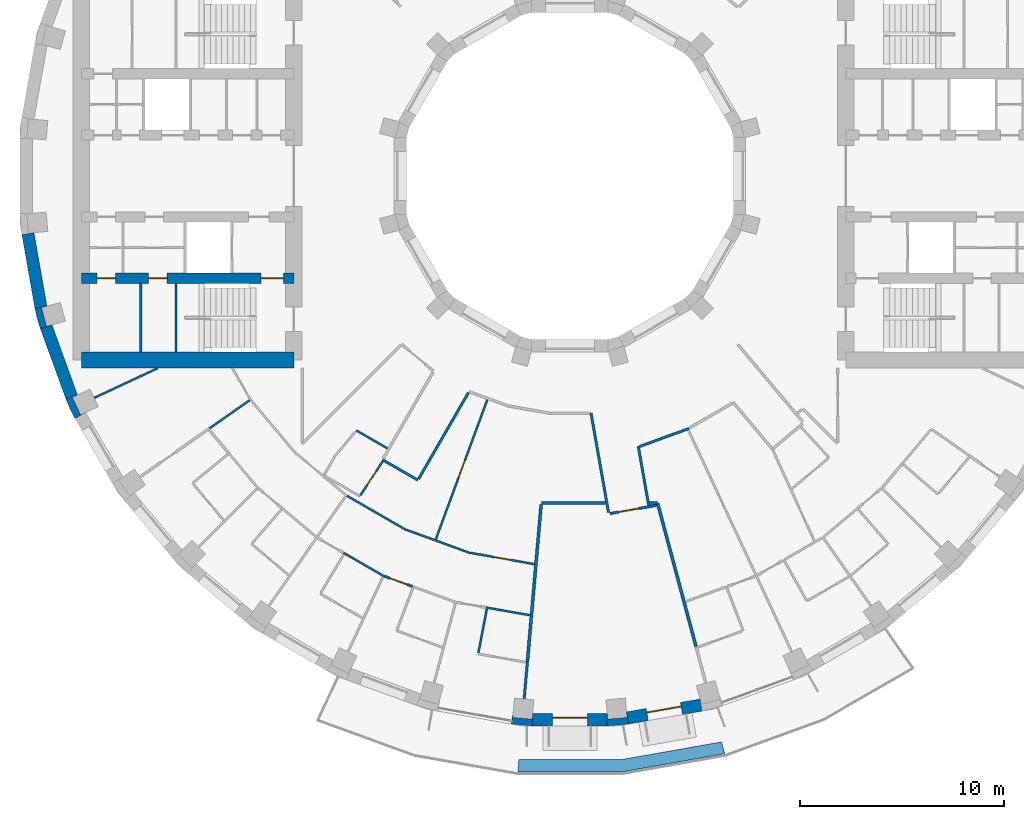
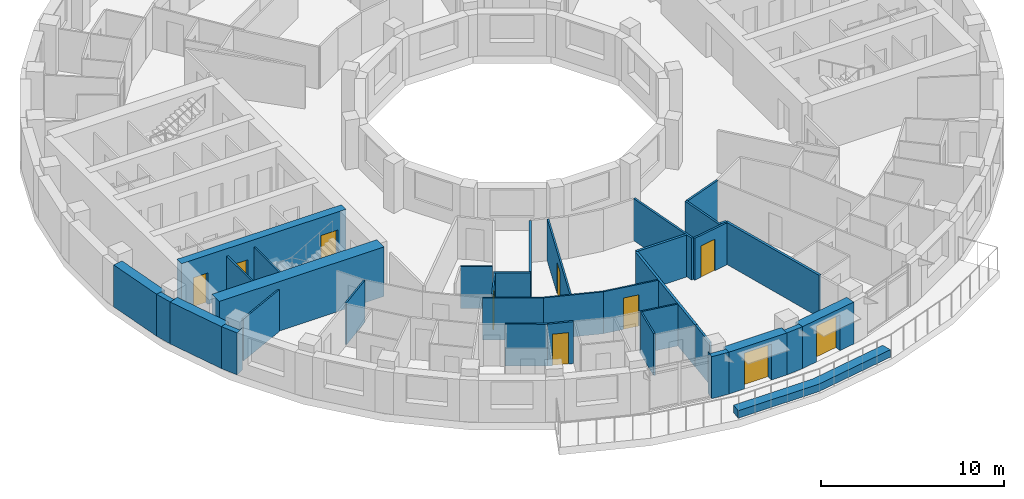
# One storey, part 6 of 16: 36 walls, 10 doors, 10 openings.
"""IFC4 building model written with IfcOpenShell, lengths in metres."""

from ifc_helpers import new_model, si_unit, direction, frame, frame_2d, origin, place, context, subcontext, project, spatial, polyline, rectangle, outline, extrude, material, layer, layer_set, type_object, element, fill, save


model = new_model("IFC4")

# Units and contexts
model_context = context("Model", 3, precision=1e-05, world=origin(), true_north=direction((0.0, 1.0)))
body_context = subcontext(model_context, "Body", "Model", "MODEL_VIEW")
ifc_project = project(units=[si_unit("LENGTHUNIT", "METRE"), si_unit("AREAUNIT", "SQUARE_METRE"), si_unit("VOLUMEUNIT", "CUBIC_METRE"), si_unit("PLANEANGLEUNIT", "RADIAN"), si_unit("MASSUNIT", "GRAM", prefix="KILO")], contexts=[model_context])

# Site, building, storey
site_placement = place(None, origin())
site = spatial("IfcSite", under=ifc_project, at=site_placement, CompositionType="ELEMENT")
building_placement = place(site_placement, origin())
building = spatial("IfcBuilding", under=site, at=building_placement, Name="Saqina Gate Tower", CompositionType="ELEMENT")
storey_placement = place(building_placement, frame((0.0, 0.0, 141.39990234375)))
storey = spatial("IfcBuildingStorey", under=building, at=storey_placement, Name="L40", CompositionType="ELEMENT", Elevation=141.39990234375)

# Walls
ifc_material_1 = material(Name="Brick masonry (buff)", Category="masonry")
wall_type_1 = type_object("IfcWallType", Name="BRICK PIER COPING BUFF", PredefinedType="SOLIDWALL", material=ifc_material_1)
wall_1_placement = place(storey_placement, origin())
element("IfcWall", 1, at=wall_1_placement, inside=storey, type_object=wall_type_1, Name="Pier cap L40 column 20", PredefinedType="SOLIDWALL", context=body_context, shape_type="SweptSolid", body=[
    extrude(outline(polyline([(-26.171875, -6.466796875), (-25.89892578125, -7.485595703125), (-25.335205078125, -7.2802734375), (-25.5947265625, -7.349853515625), (-25.8408203125, -6.43212890625), (-25.5810546875, -6.36279296875), (-26.171875, -6.466796875)])), origin(), (0.0, 0.0, 1.0), 2.800048828125),
])
wall_2_placement = place(storey_placement, origin())
element("IfcWall", 2, at=wall_2_placement, inside=storey, type_object=wall_type_1, Name="Pier cap L40 column 21", PredefinedType="SOLIDWALL", context=body_context, shape_type="SweptSolid", body=[
    extrude(outline(polyline([(-24.6513671875, -10.913330078125), (-24.205810546875, -11.869140625), (-23.68603515625, -11.569091796875), (-23.9296875, -11.6826171875), (-24.331298828125, -10.82177734375), (-24.08740234375, -10.7080078125), (-24.6513671875, -10.913330078125)])), origin(), (0.0, 0.0, 1.0), 2.800048828125),
])
wall_3_placement = place(storey_placement, origin())
element("IfcWall", 3, at=wall_3_placement, inside=storey, type_object=wall_type_1, Name="Pier cap L40 column 27", PredefinedType="SOLIDWALL", context=body_context, shape_type="SweptSolid", body=[
    extrude(outline(polyline([(-2.87451171875, -26.805419921875), (-1.823974609375, -26.897216796875), (-1.823974609375, -26.29736328125), (-1.847412109375, -26.565185546875), (-2.793701171875, -26.482421875), (-2.770263671875, -26.214599609375), (-2.87451171875, -26.805419921875)])), origin(), (0.0, 0.0, 1.0), 2.800048828125),
])
wall_4_placement = place(storey_placement, origin())
element("IfcWall", 4, at=wall_4_placement, inside=storey, type_object=wall_type_1, Name="Pier cap L40 column 28", PredefinedType="SOLIDWALL", context=body_context, shape_type="SweptSolid", body=[
    extrude(outline(polyline([(2.87451171875, -26.805419921875), (2.770263671875, -26.214599609375), (2.793701171875, -26.482421875), (1.847412109375, -26.565185546875), (1.823974609375, -26.29736328125), (1.823974609375, -26.897216796875), (2.87451171875, -26.805419921875)])), origin(), (0.0, 0.0, 1.0), 2.800048828125),
])
ifc_material_2 = material(Name="Gypsum board on steel studs", Category="steel")
ifc_layer_1 = layer(ifc_material_2, 0.10009765625)
ifc_layer_set_1 = layer_set([ifc_layer_1], Name="CORE PARTITION")
wall_type_2 = type_object("IfcWallType", Name="CORE PARTITION", PredefinedType="PARTITIONING", material=ifc_layer_set_1)
wall_5_placement = place(storey_placement, frame((-20.991943359375, -8.60009765625, 0.0), z_axis=(0.0, 0.0, 1.0), x_axis=(0.0, 1.0, 0.0)))
element("IfcWall", 5, at=wall_5_placement, inside=storey, type_object=wall_type_2, Name="L40-CP-W16", PredefinedType="PARTITIONING", context=body_context, shape_type="SweptSolid", body=[
    extrude(rectangle(XDim=3.35009765625, YDim=0.10009765625, at=frame_2d((1.675048828125, 0.0))), origin(), (0.0, 0.0, 1.0), 2.800048828125),
])

# Wall, opening, door
ifc_material_3 = material(Name="Brick masonry (buff)", Category="masonry")
ifc_layer_2 = layer(ifc_material_3, 0.60009765625)
ifc_layer_set_2 = layer_set([ifc_layer_2], Name="FW-BRICK-BUFF")
wall_type_3 = type_object("IfcWallType", Name="FW-BRICK-BUFF", PredefinedType="SOLIDWALL", material=ifc_layer_set_2)
wall_6_placement = place(storey_placement, frame((-1.823974609375, -26.59716796875, 0.0), z_axis=(0.0, 0.0, 1.0), x_axis=(1.0, 0.0, 0.0)))
wall_6 = element("IfcWall", 6, at=wall_6_placement, inside=storey, type_object=wall_type_3, Name="Facade wall L40 facet 27", PredefinedType="SOLIDWALL", context=body_context, shape_type="SweptSolid", body=[
    extrude(rectangle(XDim=3.64794921875, YDim=0.60009765625, at=frame_2d((1.823974609375, 0.0))), origin(), (0.0, 0.0, 1.0), 2.800048828125),
])
opening_1_placement = place(wall_6_placement, frame((0.973876953125, 0.0, 0.0)))
opening_1 = element("IfcOpeningElement", 7, at=opening_1_placement, cuts=wall_6, Name="Opening G12-D80", PredefinedType="OPENING", context=body_context, shape_type="SweptSolid", body=[
    extrude(rectangle(XDim=1.699951171875, YDim=2.39990234375, at=frame_2d((0.85009765625, 1.199951171875))), frame((0.0, 0.31201171875, 0.0), z_axis=(0.0, -1.0, 0.0), x_axis=(1.0, 0.0, 0.0)), (0.0, 0.0, 1.0), 0.6240234375),
])
ifc_material_4 = material(Name="Aluminium glazing", Category="aluminium")
door_type_1 = type_object("IfcDoorType", Name="GD-B", OperationType="DOUBLE_DOOR_SINGLE_SWING", PredefinedType="DOOR", material=ifc_material_4)
door_1_placement = place(opening_1_placement, origin())
door_1 = element("IfcDoor", 8, at=door_1_placement, inside=storey, type_object=door_type_1, Name="Terrace door L40 facet 27", OperationType="DOUBLE_DOOR_SINGLE_SWING", OverallHeight=2.39990234375, OverallWidth=1.699951171875, PredefinedType="DOOR", context=body_context, shape_type="SweptSolid", body=[
    extrude(rectangle(XDim=1.699951171875, YDim=2.39990234375, at=frame_2d((0.85009765625, 1.199951171875))), frame((0.0, 0.125, 0.0), z_axis=(0.0, -1.0, 0.0), x_axis=(1.0, 0.0, 0.0)), (0.0, 0.0, 1.0), 0.050048828125),
])
fill(opening_1, door_1)

wall_7_placement = place(storey_placement, frame((2.822265625, -26.510009765625, 0.0), z_axis=(0.0, 0.0, 1.0), x_axis=(0.984803764455, 0.173670796382, 0.0)))
wall_7 = element("IfcWall", 9, at=wall_7_placement, inside=storey, type_object=wall_type_3, Name="Facade wall L40 facet 28", PredefinedType="SOLIDWALL", context=body_context, shape_type="SweptSolid", body=[
    extrude(rectangle(XDim=3.64794921875, YDim=0.60009765625, at=frame_2d((1.823974609375, 0.0))), origin(), (0.0, 0.0, 1.0), 2.800048828125),
])
opening_2_placement = place(wall_7_placement, frame((0.973876953125, 0.0, 0.0)))
opening_2 = element("IfcOpeningElement", 10, at=opening_2_placement, cuts=wall_7, Name="Opening G12-D81", PredefinedType="OPENING", context=body_context, shape_type="SweptSolid", body=[
    extrude(rectangle(XDim=1.699951171875, YDim=2.39990234375, at=frame_2d((0.85009765625, 1.199951171875))), frame((0.0, 0.31201171875, 0.0), z_axis=(0.0, -1.0, 0.0), x_axis=(1.0, 0.0, 0.0)), (0.0, 0.0, 1.0), 0.6240234375),
])
door_2_placement = place(opening_2_placement, origin())
door_2 = element("IfcDoor", 11, at=door_2_placement, inside=storey, type_object=door_type_1, Name="Terrace door L40 facet 28", OperationType="DOUBLE_DOOR_SINGLE_SWING", OverallHeight=2.39990234375, OverallWidth=1.699951171875, PredefinedType="DOOR", context=body_context, shape_type="SweptSolid", body=[
    extrude(rectangle(XDim=1.699951171875, YDim=2.39990234375, at=frame_2d((0.85009765625, 1.199951171875))), frame((0.0, 0.125, 0.0), z_axis=(0.0, -1.0, 0.0), x_axis=(1.0, 0.0, 0.0)), (0.0, 0.0, 1.0), 0.050048828125),
])
fill(opening_2, door_2)

# Walls
ifc_material_5 = material(Name="Glazed ceramic tile", Category="ceramic")
ifc_layer_3 = layer(ifc_material_5, 0.60009765625)
ifc_layer_set_3 = layer_set([ifc_layer_3], Name="FW-TILE")
wall_type_4 = type_object("IfcWallType", Name="FW-TILE", PredefinedType="SOLIDWALL", material=ifc_layer_set_3)
wall_8_placement = place(storey_placement, frame((-26.510009765625, -2.822265625, 0.0), z_axis=(0.0, 0.0, 1.0), x_axis=(0.173670796382, -0.984803764455, 0.0)))
element("IfcWall", 12, at=wall_8_placement, inside=storey, type_object=wall_type_4, Name="Facade wall L40 facet 19", PredefinedType="SOLIDWALL", context=body_context, shape_type="SweptSolid", body=[
    extrude(rectangle(XDim=3.64794921875, YDim=0.60009765625, at=frame_2d((1.823974609375, 0.0))), origin(), (0.0, 0.0, 1.0), 2.800048828125),
])
ifc_material_6 = material(Name="Glazed ceramic tile (white)", Category="ceramic")
ifc_layer_4 = layer(ifc_material_6, 0.60009765625)
ifc_layer_set_4 = layer_set([ifc_layer_4], Name="FW-TILE-WH")
wall_type_5 = type_object("IfcWallType", Name="FW-TILE-WH", PredefinedType="SOLIDWALL", material=ifc_layer_set_4)
wall_9_placement = place(storey_placement, frame((-25.616943359375, -7.3828125, 0.0), z_axis=(0.0, 0.0, 1.0), x_axis=(0.341990236633, -0.939703505393, 0.0)))
element("IfcWall", 13, at=wall_9_placement, inside=storey, type_object=wall_type_5, Name="Facade wall L40 facet 20", PredefinedType="SOLIDWALL", context=body_context, shape_type="SweptSolid", body=[
    extrude(rectangle(XDim=3.64794921875, YDim=0.60009765625, at=frame_2d((1.823974609375, 0.0))), origin(), (0.0, 0.0, 1.0), 2.800048828125),
])
ifc_material_7 = material(Name="Gypsum board on steel studs, 100 mm", Category="steel")
ifc_layer_5 = layer(ifc_material_7, 0.10009765625)
ifc_layer_set_5 = layer_set([ifc_layer_5], Name="PARTITION 100")
wall_type_6 = type_object("IfcWallType", Name="PARTITION 100", PredefinedType="PARTITIONING", material=ifc_layer_set_5)
wall_10_placement = place(storey_placement, frame((-11.072021484375, -18.4296875, 0.0), z_axis=(0.0, 0.0, 1.0), x_axis=(0.865486689549, -0.500931921735, 0.0)))
element("IfcWall", 14, at=wall_10_placement, inside=storey, type_object=wall_type_6, Name="PARTITION PW3-36", PredefinedType="PARTITIONING", context=body_context, shape_type="SweptSolid", body=[
    extrude(rectangle(XDim=2.3056640625, YDim=0.10009765625, at=frame_2d((1.15283203125, 0.0))), origin(), (0.0, 0.0, 1.0), 2.800048828125),
])
wall_11_placement = place(storey_placement, frame((-10.895751953125, -15.64697265625, 0.0), z_axis=(0.0, 0.0, 1.0), x_axis=(0.866052313871, -0.499953387465, 0.0)))
element("IfcWall", 15, at=wall_11_placement, inside=storey, type_object=wall_type_6, Name="PARTITION PW3-38", PredefinedType="PARTITIONING", context=body_context, shape_type="SweptSolid", body=[
    extrude(rectangle(XDim=3.324951171875, YDim=0.10009765625, at=frame_2d((1.66259765625, 0.0))), origin(), (0.0, 0.0, 1.0), 2.800048828125),
])
wall_12_placement = place(storey_placement, frame((-10.443115234375, -12.446044921875, 0.0), z_axis=(0.0, 0.0, 1.0), x_axis=(0.866176339187, -0.499738481041, 0.0)))
element("IfcWall", 16, at=wall_12_placement, inside=storey, type_object=wall_type_6, Name="PARTITION PW3-40", PredefinedType="PARTITIONING", context=body_context, shape_type="SweptSolid", body=[
    extrude(rectangle(XDim=1.75830078125, YDim=0.10009765625, at=frame_2d((0.879150390625, 0.0))), origin(), (0.0, 0.0, 1.0), 2.800048828125),
])
wall_13_placement = place(storey_placement, frame((-8.012939453125, -17.301025390625, 0.0), z_axis=(0.0, 0.0, 1.0), x_axis=(0.939703357515, -0.341990642965, 0.0)))
element("IfcWall", 17, at=wall_13_placement, inside=storey, type_object=wall_type_6, Name="PARTITION PW3-49", PredefinedType="PARTITIONING", context=body_context, shape_type="SweptSolid", body=[
    extrude(rectangle(XDim=3.3251953125, YDim=0.10009765625, at=frame_2d((1.66259765625, 0.0))), origin(), (0.0, 0.0, 1.0), 2.800048828125),
])
wall_14_placement = place(storey_placement, frame((-4.101318359375, -21.105224609375, 0.0), z_axis=(0.0, 0.0, 1.0), x_axis=(0.984793705714, -0.173727825019, 0.0)))
element("IfcWall", 18, at=wall_14_placement, inside=storey, type_object=wall_type_6, Name="PARTITION PW3-54", PredefinedType="PARTITIONING", context=body_context, shape_type="SweptSolid", body=[
    extrude(rectangle(XDim=2.1796875, YDim=0.10009765625, at=frame_2d((1.08984375, 0.0))), origin(), (0.0, 0.0, 1.0), 2.800048828125),
])

# Wall, opening, door
wall_15_placement = place(storey_placement, frame((-4.88671875, -18.4296875, 0.0), z_axis=(0.0, 0.0, 1.0), x_axis=(0.984827318257, -0.173537181071, 0.0)))
wall_15 = element("IfcWall", 19, at=wall_15_placement, inside=storey, type_object=wall_type_6, Name="PARTITION PW3-55", PredefinedType="PARTITIONING", context=body_context, shape_type="SweptSolid", body=[
    extrude(rectangle(XDim=3.19921875, YDim=0.10009765625, at=frame_2d((1.599609375, 0.0))), origin(), (0.0, 0.0, 1.0), 2.800048828125),
])
opening_3_placement = place(wall_15_placement, frame((1.162109375, 0.0, 0.0)))
opening_3 = element("IfcOpeningElement", 20, at=opening_3_placement, cuts=wall_15, Name="Opening G12-D46", PredefinedType="OPENING", context=body_context, shape_type="SweptSolid", body=[
    extrude(rectangle(XDim=0.89990234375, YDim=2.10009765625, at=frame_2d((0.449951171875, 1.050048828125))), frame((0.0, 0.06201171875, 0.0), z_axis=(0.0, -1.0, 0.0), x_axis=(1.0, 0.0, 0.0)), (0.0, 0.0, 1.0), 0.1240234375),
])
ifc_material_8 = material(Name="Timber door leaf, 900 mm", Category="wood")
door_type_2 = type_object("IfcDoorType", Name="DOOR 900 TIMBER", OperationType="SINGLE_SWING_LEFT", PredefinedType="DOOR", material=ifc_material_8)
door_3_placement = place(opening_3_placement, origin())
door_3 = element("IfcDoor", 21, at=door_3_placement, inside=storey, type_object=door_type_2, Name="DOOR G12-D46", OperationType="SINGLE_SWING_RIGHT", OverallHeight=2.10009765625, OverallWidth=0.89990234375, PredefinedType="DOOR", context=body_context, shape_type="SweptSolid", body=[
    extrude(rectangle(XDim=0.89990234375, YDim=2.10009765625, at=frame_2d((0.449951171875, 1.050048828125))), frame((0.0, 0.02490234375, 0.0), z_axis=(0.0, -1.0, 0.0), x_axis=(1.0, 0.0, 0.0)), (0.0, 0.0, 1.0), 0.050048828125),
])
fill(opening_3, door_3)

# Walls
wall_16_placement = place(storey_placement, frame((-23.260009765625, -10.847412109375, 0.0), z_axis=(0.0, 0.0, 1.0), x_axis=(0.906042683175, 0.423186313892, 0.0)))
element("IfcWall", 22, at=wall_16_placement, inside=storey, type_object=wall_type_6, Name="PARTITION PW3-72", PredefinedType="PARTITIONING", context=body_context, shape_type="SweptSolid", body=[
    extrude(rectangle(XDim=3.42041015625, YDim=0.10009765625, at=frame_2d((1.710205078125, 0.0))), origin(), (0.0, 0.0, 1.0), 2.800048828125),
])
wall_17_placement = place(storey_placement, frame((-17.62548828125, -12.341552734375, 0.0), z_axis=(0.0, 0.0, 1.0), x_axis=(0.819246283273, 0.573441825597, 0.0)))
element("IfcWall", 23, at=wall_17_placement, inside=storey, type_object=wall_type_6, Name="PARTITION PW3-77", PredefinedType="PARTITIONING", context=body_context, shape_type="SweptSolid", body=[
    extrude(rectangle(XDim=2.395751953125, YDim=0.10009765625, at=frame_2d((1.19775390625, 0.0))), origin(), (0.0, 0.0, 1.0), 2.800048828125),
])

# Wall, opening, door
wall_18_placement = place(storey_placement, frame((-10.24560546875, -15.6162109375, 0.0), z_axis=(0.0, 0.0, 1.0), x_axis=(0.548583914552, 0.836095502138, 0.0)))
wall_18 = element("IfcWall", 24, at=wall_18_placement, inside=storey, type_object=wall_type_6, Name="PARTITION PW3-99", PredefinedType="PARTITIONING", context=body_context, shape_type="SweptSolid", body=[
    extrude(rectangle(XDim=1.9853515625, YDim=0.10009765625, at=frame_2d((0.99267578125, 0.0))), origin(), (0.0, 0.0, 1.0), 2.800048828125),
])
opening_4_placement = place(wall_18_placement, frame((0.5986328125, 0.0, 0.0)))
opening_4 = element("IfcOpeningElement", 25, at=opening_4_placement, cuts=wall_18, Name="Opening G12-D39", PredefinedType="OPENING", context=body_context, shape_type="SweptSolid", body=[
    extrude(rectangle(XDim=0.800048828125, YDim=2.10009765625, at=frame_2d((0.39990234375, 1.050048828125))), frame((0.0, 0.06201171875, 0.0), z_axis=(0.0, -1.0, 0.0), x_axis=(1.0, 0.0, 0.0)), (0.0, 0.0, 1.0), 0.1240234375),
])
ifc_material_9 = material(Name="Timber door leaf, 800 mm", Category="wood")
door_type_3 = type_object("IfcDoorType", Name="DOOR 800 TIMBER", OperationType="SINGLE_SWING_LEFT", PredefinedType="DOOR", material=ifc_material_9)
door_4_placement = place(opening_4_placement, frame((0.800048828125, 0.0, 0.0), z_axis=(0.0, 0.0, 1.0), x_axis=(-1.0, 0.0, 0.0)))
door_4 = element("IfcDoor", 26, at=door_4_placement, inside=storey, type_object=door_type_3, Name="DOOR G12-D39", OperationType="SINGLE_SWING_LEFT", OverallHeight=2.10009765625, OverallWidth=0.800048828125, PredefinedType="DOOR", context=body_context, shape_type="SweptSolid", body=[
    extrude(rectangle(XDim=0.800048828125, YDim=2.10009765625, at=frame_2d((0.39990234375, 1.050048828125))), frame((0.0, 0.02490234375, 0.0), z_axis=(0.0, -1.0, 0.0), x_axis=(1.0, 0.0, 0.0)), (0.0, 0.0, 1.0), 0.050048828125),
])
fill(opening_4, door_4)

wall_19_placement = place(storey_placement, frame((-6.561767578125, -17.776123046875, 0.0), z_axis=(0.0, 0.0, 1.0), x_axis=(0.346197589544, 0.938161622, 0.0)))
wall_19 = element("IfcWall", 27, at=wall_19_placement, inside=storey, type_object=wall_type_6, Name="PARTITION PW3-109", PredefinedType="PARTITIONING", context=body_context, shape_type="SweptSolid", body=[
    extrude(rectangle(XDim=7.285400390625, YDim=0.10009765625, at=frame_2d((3.642578125, 0.0))), origin(), (0.0, 0.0, 1.0), 2.800048828125),
])
opening_5_placement = place(wall_19_placement, frame((3.2001953125, 0.0, 0.0)))
opening_5 = element("IfcOpeningElement", 28, at=opening_5_placement, cuts=wall_19, Name="Opening G12-D43", PredefinedType="OPENING", context=body_context, shape_type="SweptSolid", body=[
    extrude(rectangle(XDim=0.89990234375, YDim=2.10009765625, at=frame_2d((0.449951171875, 1.050048828125))), frame((0.0, 0.06201171875, 0.0), z_axis=(0.0, -1.0, 0.0), x_axis=(1.0, 0.0, 0.0)), (0.0, 0.0, 1.0), 0.1240234375),
])
door_5_placement = place(opening_5_placement, frame((0.89990234375, 0.0, 0.0), z_axis=(0.0, 0.0, 1.0), x_axis=(-1.0, 0.0, 0.0)))
door_5 = element("IfcDoor", 29, at=door_5_placement, inside=storey, type_object=door_type_2, Name="DOOR G12-D43", OperationType="SINGLE_SWING_LEFT", OverallHeight=2.10009765625, OverallWidth=0.89990234375, PredefinedType="DOOR", context=body_context, shape_type="SweptSolid", body=[
    extrude(rectangle(XDim=0.89990234375, YDim=2.10009765625, at=frame_2d((0.449951171875, 1.050048828125))), frame((0.0, 0.02490234375, 0.0), z_axis=(0.0, -1.0, 0.0), x_axis=(1.0, 0.0, 0.0)), (0.0, 0.0, 1.0), 0.050048828125),
])
fill(opening_5, door_5)

# Walls
wall_20_placement = place(storey_placement, frame((-4.4765625, -23.323974609375, 0.0), z_axis=(0.0, 0.0, 1.0), x_axis=(0.188685986474, 0.982037473067, 0.0)))
element("IfcWall", 30, at=wall_20_placement, inside=storey, type_object=wall_type_6, Name="PARTITION PW3-115", PredefinedType="PARTITIONING", context=body_context, shape_type="SweptSolid", body=[
    extrude(rectangle(XDim=2.18798828125, YDim=0.10009765625, at=frame_2d((1.093994140625, 0.0))), origin(), (0.0, 0.0, 1.0), 2.800048828125),
])
ifc_material_10 = material(Name="Gypsum board on steel studs, 125 mm, fire rated", Category="steel")
ifc_layer_6 = layer(ifc_material_10, 0.125)
ifc_layer_set_6 = layer_set([ifc_layer_6], Name="PARTITION EI 30 125")
wall_type_7 = type_object("IfcWallType", Name="PARTITION EI 30 125", PredefinedType="PARTITIONING", material=ifc_layer_set_6)
wall_21_placement = place(storey_placement, frame((1.031982421875, -11.596923828125, 0.0), z_axis=(0.0, 0.0, 1.0), x_axis=(0.173613257536, -0.984813909735, 0.0)))
element("IfcWall", 31, at=wall_21_placement, inside=storey, type_object=wall_type_7, Name="PARTITION PW1-01", PredefinedType="PARTITIONING", context=body_context, shape_type="SweptSolid", body=[
    extrude(rectangle(XDim=4.937255859375, YDim=0.125, at=frame_2d((2.46875, 0.0))), origin(), (0.0, 0.0, 1.0), 2.800048828125),
])
wall_22_placement = place(storey_placement, frame((3.34375, -13.219970703125, 0.0), z_axis=(0.0, 0.0, 1.0), x_axis=(0.173704731119, -0.984797779438, 0.0)))
element("IfcWall", 32, at=wall_22_placement, inside=storey, type_object=wall_type_7, Name="PARTITION PW1-02", PredefinedType="PARTITIONING", context=body_context, shape_type="SweptSolid", body=[
    extrude(rectangle(XDim=2.9375, YDim=0.125, at=frame_2d((1.46875, 0.0))), origin(), (0.0, 0.0, 1.0), 2.800048828125),
])
wall_23_placement = place(storey_placement, frame((-9.166015625, -13.8759765625, 0.0), z_axis=(0.0, 0.0, 1.0), x_axis=(0.866008543052, -0.500029202507, 0.0)))
element("IfcWall", 33, at=wall_23_placement, inside=storey, type_object=wall_type_7, Name="PARTITION PW1-18", PredefinedType="PARTITIONING", context=body_context, shape_type="SweptSolid", body=[
    extrude(rectangle(XDim=1.998046875, YDim=0.125, at=frame_2d((0.9990234375, 0.0))), origin(), (0.0, 0.0, 1.0), 2.800048828125),
])

# Wall, opening, door
wall_24_placement = place(storey_placement, frame((-9.072998046875, -19.5751953125, 0.0), z_axis=(0.0, 0.0, 1.0), x_axis=(0.939788529673, -0.341756520778, 0.0)))
wall_24 = element("IfcWall", 34, at=wall_24_placement, inside=storey, type_object=wall_type_7, Name="PARTITION PW1-21", PredefinedType="PARTITIONING", context=body_context, shape_type="SweptSolid", body=[
    extrude(rectangle(XDim=1.45654296875, YDim=0.125, at=frame_2d((0.728271484375, 0.0))), origin(), (0.0, 0.0, 1.0), 2.800048828125),
])
opening_6_placement = place(wall_24_placement, frame((0.2783203125, 0.0, 0.0)))
opening_6 = element("IfcOpeningElement", 35, at=opening_6_placement, cuts=wall_24, Name="Opening G12-D42", PredefinedType="OPENING", context=body_context, shape_type="SweptSolid", body=[
    extrude(rectangle(XDim=0.89990234375, YDim=2.10009765625, at=frame_2d((0.449951171875, 1.050048828125))), frame((0.0, 0.074462890625, 0.0), z_axis=(0.0, -1.0, 0.0), x_axis=(1.0, 0.0, 0.0)), (0.0, 0.0, 1.0), 0.14892578125),
])
ifc_material_11 = material(Name="Fire door leaf EI 30, 900 mm")
door_type_4 = type_object("IfcDoorType", Name="DOOR 900 EI 30", OperationType="SINGLE_SWING_LEFT", PredefinedType="DOOR", material=ifc_material_11)
door_6_placement = place(opening_6_placement, origin())
door_6 = element("IfcDoor", 36, at=door_6_placement, inside=storey, type_object=door_type_4, Name="DOOR G12-D42", OperationType="SINGLE_SWING_LEFT", OverallHeight=2.10009765625, OverallWidth=0.89990234375, PredefinedType="DOOR", context=body_context, shape_type="SweptSolid", body=[
    extrude(rectangle(XDim=0.89990234375, YDim=2.10009765625, at=frame_2d((0.449951171875, 1.050048828125))), frame((0.0, 0.02490234375, 0.0), z_axis=(0.0, -1.0, 0.0), x_axis=(1.0, 0.0, 0.0)), (0.0, 0.0, 1.0), 0.050048828125),
])
fill(opening_6, door_6)

wall_25_placement = place(storey_placement, frame((1.95947265625, -16.51025390625, 0.0), z_axis=(0.0, 0.0, 1.0), x_axis=(0.984826011904, 0.173544594492, 0.0)))
wall_25 = element("IfcWall", 37, at=wall_25_placement, inside=storey, type_object=wall_type_7, Name="PARTITION PW1-31", PredefinedType="PARTITIONING", context=body_context, shape_type="SweptSolid", body=[
    extrude(rectangle(XDim=2.314208984375, YDim=0.125, at=frame_2d((1.1572265625, 0.0))), origin(), (0.0, 0.0, 1.0), 2.800048828125),
])
opening_7_placement = place(wall_25_placement, frame((0.437255859375, 0.0, 0.0)))
opening_7 = element("IfcOpeningElement", 38, at=opening_7_placement, cuts=wall_25, Name="Opening G12-D48", PredefinedType="OPENING", context=body_context, shape_type="SweptSolid", body=[
    extrude(rectangle(XDim=1.0, YDim=2.10009765625, at=frame_2d((0.5, 1.050048828125))), frame((0.0, 0.074462890625, 0.0), z_axis=(0.0, -1.0, 0.0), x_axis=(1.0, 0.0, 0.0)), (0.0, 0.0, 1.0), 0.14892578125),
])
ifc_material_12 = material(Name="Fire door leaf EI 30, 1000 mm")
door_type_5 = type_object("IfcDoorType", Name="DOOR 1000 EI 30", OperationType="SINGLE_SWING_LEFT", PredefinedType="DOOR", material=ifc_material_12)
door_7_placement = place(opening_7_placement, origin())
door_7 = element("IfcDoor", 39, at=door_7_placement, inside=storey, type_object=door_type_5, Name="DOOR G12-D48", OperationType="SINGLE_SWING_RIGHT", OverallHeight=2.10009765625, OverallWidth=1.0, PredefinedType="DOOR", context=body_context, shape_type="SweptSolid", body=[
    extrude(rectangle(XDim=1.0, YDim=2.10009765625, at=frame_2d((0.5, 1.050048828125))), frame((0.0, 0.02490234375, 0.0), z_axis=(0.0, -1.0, 0.0), x_axis=(1.0, 0.0, 0.0)), (0.0, 0.0, 1.0), 0.050048828125),
])
fill(opening_7, door_7)

# Walls
wall_26_placement = place(storey_placement, frame((3.4091796875, -13.230224609375, 0.0), z_axis=(0.0, 0.0, 1.0), x_axis=(0.939430059453, 0.34274066493, 0.0)))
element("IfcWall", 40, at=wall_26_placement, inside=storey, type_object=wall_type_7, Name="PARTITION PW1-35", PredefinedType="PARTITIONING", context=body_context, shape_type="SweptSolid", body=[
    extrude(rectangle(XDim=2.573486328125, YDim=0.125, at=frame_2d((1.28662109375, 0.0))), origin(), (0.0, 0.0, 1.0), 2.800048828125),
])
wall_27_placement = place(storey_placement, frame((-7.40283203125, -14.82177734375, 0.0), z_axis=(0.0, 0.0, 1.0), x_axis=(0.500017246033, 0.866015446554, 0.0)))
element("IfcWall", 41, at=wall_27_placement, inside=storey, type_object=wall_type_7, Name="PARTITION PW1-53", PredefinedType="PARTITIONING", context=body_context, shape_type="SweptSolid", body=[
    extrude(rectangle(XDim=4.874755859375, YDim=0.125, at=frame_2d((2.4375, 0.0))), origin(), (0.0, 0.0, 1.0), 2.800048828125),
])
wall_28_placement = place(storey_placement, frame((-2.237060546875, -25.5673828125, 0.0), z_axis=(0.0, 0.0, 1.0), x_axis=(0.087185058121, 0.996192132894, 0.0)))
element("IfcWall", 42, at=wall_28_placement, inside=storey, type_object=wall_type_7, Name="PARTITION PW1-58", PredefinedType="PARTITIONING", context=body_context, shape_type="SweptSolid", body=[
    extrude(rectangle(XDim=1.83984375, YDim=0.125, at=frame_2d((0.919921875, 0.0))), origin(), (0.0, 0.0, 1.0), 2.800048828125),
])
ifc_material_13 = material(Name="Gypsum board on steel studs, 150 mm, fire rated", Category="steel")
ifc_layer_7 = layer(ifc_material_13, 0.14990234375)
ifc_layer_set_7 = layer_set([ifc_layer_7], Name="PARTITION EI 60 150")
wall_type_8 = type_object("IfcWallType", Name="PARTITION EI 60 150", PredefinedType="PARTITIONING", material=ifc_layer_set_7)
wall_29_placement = place(storey_placement, frame((4.28759765625, -16.001953125, 0.0), z_axis=(0.0, 0.0, 1.0), x_axis=(0.25900000819, -0.965877319207, 0.0)))
element("IfcWall", 43, at=wall_29_placement, inside=storey, type_object=wall_type_8, Name="PARTITION PW2-02", PredefinedType="PARTITIONING", context=body_context, shape_type="SweptSolid", body=[
    extrude(rectangle(XDim=7.25927734375, YDim=0.14990234375, at=frame_2d((3.629638671875, 0.0))), origin(), (0.0, 0.0, 1.0), 2.800048828125),
])
wall_30_placement = place(storey_placement, frame((-1.39990234375, -16.0, 0.0), z_axis=(0.0, 0.0, 1.0), x_axis=(1.0, 0.0, 0.0)))
element("IfcWall", 44, at=wall_30_placement, inside=storey, type_object=wall_type_8, Name="PARTITION PW2-03", PredefinedType="PARTITIONING", context=body_context, shape_type="SweptSolid", body=[
    extrude(rectangle(XDim=3.143310546875, YDim=0.14990234375, at=frame_2d((1.57177734375, 0.0))), origin(), (0.0, 0.0, 1.0), 2.800048828125),
])
wall_31_placement = place(storey_placement, frame((3.89892578125, -16.0, 0.0), z_axis=(0.0, 0.0, 1.0), x_axis=(1.0, 0.0, 0.0)))
element("IfcWall", 45, at=wall_31_placement, inside=storey, type_object=wall_type_8, Name="PARTITION PW2-04", PredefinedType="PARTITIONING", context=body_context, shape_type="SweptSolid", body=[
    extrude(rectangle(XDim=0.39599609375, YDim=0.14990234375, at=frame_2d((0.197998046875, 0.0))), origin(), (0.0, 0.0, 1.0), 2.800048828125),
])
wall_32_placement = place(storey_placement, frame((-2.07666015625, -23.734619140625, 0.0), z_axis=(0.0, 0.0, 1.0), x_axis=(0.087062572149, 0.996202845073, 0.0)))
element("IfcWall", 46, at=wall_32_placement, inside=storey, type_object=wall_type_8, Name="PARTITION PW2-05", PredefinedType="PARTITIONING", context=body_context, shape_type="SweptSolid", body=[
    extrude(rectangle(XDim=7.689208984375, YDim=0.14990234375, at=frame_2d((3.8447265625, 0.0))), origin(), (0.0, 0.0, 1.0), 2.800048828125),
])
ifc_material_14 = material(Name="Brick masonry (red)", Category="masonry")
ifc_layer_8 = layer(ifc_material_14, 0.60009765625)
ifc_layer_set_8 = layer_set([ifc_layer_8], Name="PL-PLANTER")
wall_type_9 = type_object("IfcWallType", Name="PL-PLANTER", PredefinedType="PARAPET", material=ifc_layer_set_8)
wall_33_placement = place(storey_placement, origin())
element("IfcWall", 47, at=wall_33_placement, inside=storey, type_object=wall_type_9, Name="Planter L40", PredefinedType="PARAPET", context=body_context, shape_type="SweptSolid", body=[
    extrude(outline(polyline([(-2.550048828125, -29.147216796875), (2.550048828125, -29.147216796875), (7.57275390625, -28.26171875), (7.416748046875, -27.679931640625), (2.49755859375, -28.54736328125), (-2.49755859375, -28.54736328125), (-2.550048828125, -29.147216796875)])), origin(), (0.0, 0.0, 1.0), 0.5),
])
ifc_material_15 = material(Name="Autoclaved aerated concrete block", Category="concrete")
ifc_layer_9 = layer(ifc_material_15, 0.10009765625)
ifc_layer_set_9 = layer_set([ifc_layer_9], Name="STAIR ENCLOSURE WALL")
wall_type_10 = type_object("IfcWallType", Name="STAIR ENCLOSURE WALL", PredefinedType="PARTITIONING", material=ifc_layer_set_9)
wall_34_placement = place(storey_placement, frame((-19.27001953125, -8.60009765625, 0.0), z_axis=(0.0, 0.0, 1.0), x_axis=(0.0, 1.0, 0.0)))
element("IfcWall", 48, at=wall_34_placement, inside=storey, type_object=wall_type_10, Name="L40-CP-W15", PredefinedType="PARTITIONING", context=body_context, shape_type="SweptSolid", body=[
    extrude(rectangle(XDim=3.35009765625, YDim=0.10009765625, at=frame_2d((1.675048828125, 0.0))), origin(), (0.0, 0.0, 1.0), 2.800048828125),
])

# Wall, openings, doors
ifc_material_16 = material(Name="Concrete C70/85", Category="concrete")
ifc_layer_10 = layer(ifc_material_16, 0.5)
ifc_layer_set_10 = layer_set([ifc_layer_10], Name="Concrete C70/85")
wall_type_11 = type_object("IfcWallType", Name="STR-CORE WALL-B-I", PredefinedType="SHEAR", material=ifc_layer_set_10)
wall_35_placement = place(storey_placement, frame((-13.5, -5.0, 0.0), z_axis=(0.0, 0.0, 1.0), x_axis=(-1.0, 0.0, 0.0)))
wall_35 = element("IfcWall", 49, at=wall_35_placement, inside=storey, type_object=wall_type_11, Name="CORE WALL L40 W-X2", PredefinedType="SHEAR", context=body_context, shape_type="SweptSolid", body=[
    extrude(rectangle(XDim=10.39990234375, YDim=0.5, at=frame_2d((5.199951171875, 0.0))), origin(), (0.0, 0.0, 1.0), 3.300048828125),
])
opening_8_placement = place(wall_35_placement, frame((6.2060546875, 0.0, 0.0)))
opening_8 = element("IfcOpeningElement", 50, at=opening_8_placement, cuts=wall_35, Name="Opening G12-D124", PredefinedType="OPENING", context=body_context, shape_type="SweptSolid", body=[
    extrude(rectangle(XDim=0.89990234375, YDim=2.10009765625, at=frame_2d((0.449951171875, 1.050048828125))), frame((0.0, 0.261962890625, 0.0), z_axis=(0.0, -1.0, 0.0), x_axis=(1.0, 0.0, 0.0)), (0.0, 0.0, 1.0), 0.52392578125),
])
opening_9_placement = place(wall_35_placement, frame((8.729248046875, 0.0, 0.0)))
opening_9 = element("IfcOpeningElement", 51, at=opening_9_placement, cuts=wall_35, Name="Opening G12-D125", PredefinedType="OPENING", context=body_context, shape_type="SweptSolid", body=[
    extrude(rectangle(XDim=0.89990234375, YDim=2.10009765625, at=frame_2d((0.449951171875, 1.050048828125))), frame((0.0, 0.261962890625, 0.0), z_axis=(0.0, -1.0, 0.0), x_axis=(1.0, 0.0, 0.0)), (0.0, 0.0, 1.0), 0.52392578125),
])
opening_10_placement = place(wall_35_placement, frame((0.5, 0.0, 0.0)))
opening_10 = element("IfcOpeningElement", 52, at=opening_10_placement, cuts=wall_35, Name="Opening G12-D126", PredefinedType="OPENING", context=body_context, shape_type="SweptSolid", body=[
    extrude(rectangle(XDim=1.10009765625, YDim=2.10009765625, at=frame_2d((0.550048828125, 1.050048828125))), frame((0.0, 0.261962890625, 0.0), z_axis=(0.0, -1.0, 0.0), x_axis=(1.0, 0.0, 0.0)), (0.0, 0.0, 1.0), 0.52392578125),
])
ifc_material_17 = material(Name="Steel", Category="steel")
door_type_6 = type_object("IfcDoorType", Name="FIRE LOBBY DOOR EI 60 WIDE", OperationType="SINGLE_SWING_LEFT", PredefinedType="DOOR", material=ifc_material_17)
door_8_placement = place(opening_10_placement, origin())
door_8 = element("IfcDoor", 53, at=door_8_placement, inside=storey, type_object=door_type_6, Name="L40-CD-W37", OperationType="SINGLE_SWING_LEFT", OverallHeight=2.10009765625, OverallWidth=1.10009765625, PredefinedType="DOOR", context=body_context, shape_type="SweptSolid", body=[
    extrude(rectangle(XDim=1.10009765625, YDim=2.10009765625, at=frame_2d((0.550048828125, 1.050048828125))), frame((0.0, 0.02490234375, 0.0), z_axis=(0.0, -1.0, 0.0), x_axis=(1.0, 0.0, 0.0)), (0.0, 0.0, 1.0), 0.050048828125),
])
fill(opening_10, door_8)
ifc_material_18 = material(Name="Steel-framed fire door leaf, EI 60", Category="steel")
door_type_7 = type_object("IfcDoorType", Name="SERVICE ROOM DOOR 900", OperationType="SINGLE_SWING_LEFT", PredefinedType="DOOR", material=ifc_material_18)
door_9_placement = place(opening_8_placement, origin())
door_9 = element("IfcDoor", 54, at=door_9_placement, inside=storey, type_object=door_type_7, Name="L40-CD-W35", OperationType="SINGLE_SWING_RIGHT", OverallHeight=2.10009765625, OverallWidth=0.89990234375, PredefinedType="DOOR", context=body_context, shape_type="SweptSolid", body=[
    extrude(rectangle(XDim=0.89990234375, YDim=2.10009765625, at=frame_2d((0.449951171875, 1.050048828125))), frame((0.0, 0.02490234375, 0.0), z_axis=(0.0, -1.0, 0.0), x_axis=(1.0, 0.0, 0.0)), (0.0, 0.0, 1.0), 0.050048828125),
])
fill(opening_8, door_9)
door_10_placement = place(opening_9_placement, origin())
door_10 = element("IfcDoor", 55, at=door_10_placement, inside=storey, type_object=door_type_7, Name="L40-CD-W36", OperationType="SINGLE_SWING_RIGHT", OverallHeight=2.10009765625, OverallWidth=0.89990234375, PredefinedType="DOOR", context=body_context, shape_type="SweptSolid", body=[
    extrude(rectangle(XDim=0.89990234375, YDim=2.10009765625, at=frame_2d((0.449951171875, 1.050048828125))), frame((0.0, 0.02490234375, 0.0), z_axis=(0.0, -1.0, 0.0), x_axis=(1.0, 0.0, 0.0)), (0.0, 0.0, 1.0), 0.050048828125),
])
fill(opening_9, door_10)

# Wall
ifc_material_19 = material(Name="Concrete C70/85", Category="concrete")
ifc_layer_11 = layer(ifc_material_19, 0.800048828125)
ifc_layer_set_11 = layer_set([ifc_layer_11], Name="Concrete C70/85")
wall_type_12 = type_object("IfcWallType", Name="STR-CORE WALL-B-O", PredefinedType="SHEAR", material=ifc_layer_set_11)
wall_36_placement = place(storey_placement, frame((-13.5, -9.0, 0.0), z_axis=(0.0, 0.0, 1.0), x_axis=(-1.0, 0.0, 0.0)))
element("IfcWall", 56, at=wall_36_placement, inside=storey, type_object=wall_type_12, Name="CORE WALL L40 W-SE", PredefinedType="SHEAR", context=body_context, shape_type="SweptSolid", body=[
    extrude(rectangle(XDim=10.39990234375, YDim=0.800048828125, at=frame_2d((5.199951171875, 0.0))), origin(), (0.0, 0.0, 1.0), 3.300048828125),
])

save(model, "model.ifc")
